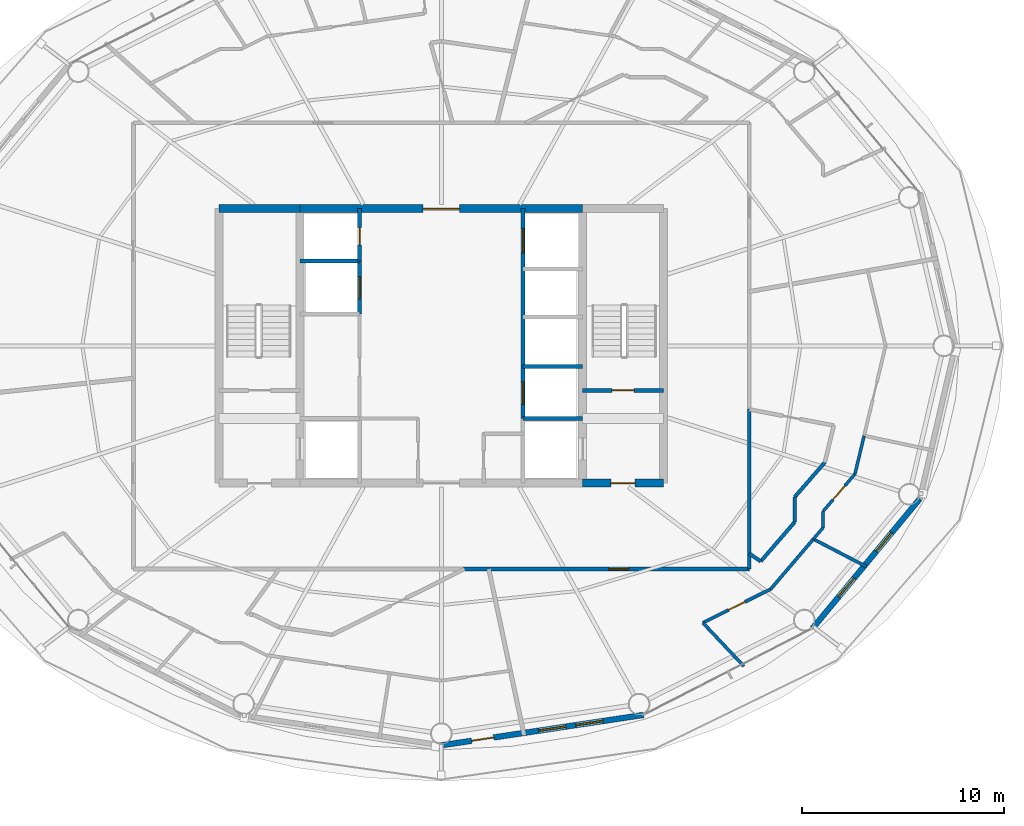
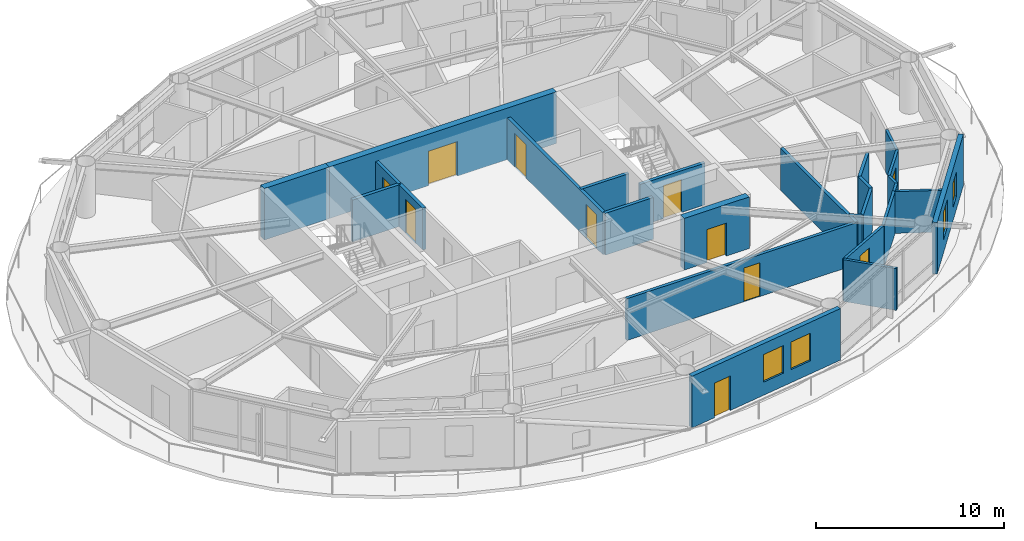
# One storey, part 17 of 23: 26 walls, 11 doors, 4 windows, 15 openings.
"""IFC4 building model written with IfcOpenShell, lengths in metres."""

from ifc_helpers import new_model, si_unit, direction, frame, frame_2d, origin, place, context, subcontext, project, spatial, rectangle, extrude, material, layer, layer_set, type_object, element, fill, save


model = new_model("IFC4")

# Units and contexts
model_context = context("Model", 3, precision=1e-05, world=origin(), true_north=direction((0.0, 1.0)))
body_context = subcontext(model_context, "Body", "Model", "MODEL_VIEW")
ifc_project = project(units=[si_unit("LENGTHUNIT", "METRE"), si_unit("AREAUNIT", "SQUARE_METRE"), si_unit("VOLUMEUNIT", "CUBIC_METRE"), si_unit("PLANEANGLEUNIT", "RADIAN"), si_unit("MASSUNIT", "GRAM", prefix="KILO")], contexts=[model_context])

# Site, building, storey
site_placement = place(None, origin())
site = spatial("IfcSite", under=ifc_project, at=site_placement, CompositionType="ELEMENT")
building_placement = place(site_placement, origin())
building = spatial("IfcBuilding", under=site, at=building_placement, Name="Sarneth Arch Tower", CompositionType="ELEMENT")
storey_placement = place(building_placement, frame((0.0, 0.0, 246.0)))
storey = spatial("IfcBuildingStorey", under=building, at=storey_placement, Name="L63", CompositionType="ELEMENT", Elevation=246.0)

# Wall, opening, door
ifc_material_1 = material(Name="Concrete C50/60", Category="concrete")
ifc_layer_1 = layer(ifc_material_1, 0.39990234375)
ifc_layer_set_1 = layer_set([ifc_layer_1], Name="Concrete C50/60")
wall_type_1 = type_object("IfcWallType", Name="WALL-CORE-400", PredefinedType="SHEAR", material=ifc_layer_set_1)
wall_1_placement = place(storey_placement, frame((55.0, 35.199951171875, 0.0), z_axis=(0.0, 0.0, 1.0), x_axis=(1.0, 0.0, 0.0)))
wall_1 = element("IfcWall", 1, at=wall_1_placement, inside=storey, type_object=wall_type_1, Name="L63 Core shear wall S-E", PredefinedType="SHEAR", context=body_context, shape_type="SweptSolid", body=[
    extrude(rectangle(XDim=4.0, YDim=0.39990234375, at=frame_2d((2.0, 0.0))), origin(), (0.0, 0.0, 1.0), 3.360107421875),
])
opening_1_placement = place(wall_1_placement, frame((1.39990234375, 0.0, 0.0)))
opening_1 = element("IfcOpeningElement", 2, at=opening_1_placement, cuts=wall_1, Name="Opening FD-02", PredefinedType="OPENING", context=body_context, shape_type="SweptSolid", body=[
    extrude(rectangle(XDim=1.199951171875, YDim=2.14990234375, at=frame_2d((0.60009765625, 1.074951171875))), frame((0.0, 0.2099609375, 0.0), z_axis=(0.0, -1.0, 0.0), x_axis=(1.0, 0.0, 0.0)), (0.0, 0.0, 1.0), 0.419921875),
])
ifc_material_2 = material(Name="Galvanised Steel S275 fire door set", Category="steel")
door_type_1 = type_object("IfcDoorType", Name="DR-FD90-1200", OperationType="SINGLE_SWING_LEFT", PredefinedType="DOOR", material=ifc_material_2)
door_1_placement = place(opening_1_placement, origin())
door_1 = element("IfcDoor", 3, at=door_1_placement, inside=storey, type_object=door_type_1, Name="L63 Firefighting lobby 2 exit door", OperationType="SINGLE_SWING_RIGHT", OverallHeight=2.14990234375, OverallWidth=1.199951171875, PredefinedType="DOOR", context=body_context, shape_type="SweptSolid", body=[
    extrude(rectangle(XDim=1.199951171875, YDim=2.14990234375, at=frame_2d((0.60009765625, 1.074951171875))), frame((0.0, 0.02490234375, 0.0), z_axis=(0.0, -1.0, 0.0), x_axis=(1.0, 0.0, 0.0)), (0.0, 0.0, 1.0), 0.050048828125),
])
fill(opening_1, door_1)

# Wall
wall_2_placement = place(storey_placement, frame((37.0, 48.800048828125, 0.0), z_axis=(0.0, 0.0, 1.0), x_axis=(1.0, 0.0, 0.0)))
element("IfcWall", 4, at=wall_2_placement, inside=storey, type_object=wall_type_1, Name="L63 Core shear wall N-W", PredefinedType="SHEAR", context=body_context, shape_type="SweptSolid", body=[
    extrude(rectangle(XDim=4.0, YDim=0.39990234375, at=frame_2d((2.0, 0.0))), origin(), (0.0, 0.0, 1.0), 3.360107421875),
])

# Wall, opening, door
wall_3_placement = place(storey_placement, frame((41.0, 48.800048828125, 0.0), z_axis=(0.0, 0.0, 1.0), x_axis=(1.0, 0.0, 0.0)))
wall_3 = element("IfcWall", 5, at=wall_3_placement, inside=storey, type_object=wall_type_1, Name="L63 Core shear wall N-M", PredefinedType="SHEAR", context=body_context, shape_type="SweptSolid", body=[
    extrude(rectangle(XDim=14.0, YDim=0.39990234375, at=frame_2d((7.0, 0.0))), origin(), (0.0, 0.0, 1.0), 3.360107421875),
])
opening_2_placement = place(wall_3_placement, frame((6.10009765625, 0.0, 0.0)))
opening_2 = element("IfcOpeningElement", 6, at=opening_2_placement, cuts=wall_3, Name="Opening FD-01", PredefinedType="OPENING", context=body_context, shape_type="SweptSolid", body=[
    extrude(rectangle(XDim=1.800048828125, YDim=2.25, at=frame_2d((0.89990234375, 1.125))), frame((0.0, 0.2099609375, 0.0), z_axis=(0.0, -1.0, 0.0), x_axis=(1.0, 0.0, 0.0)), (0.0, 0.0, 1.0), 0.419921875),
])
ifc_material_3 = material(Name="Galvanised Steel S275 fire door set", Category="steel")
door_type_2 = type_object("IfcDoorType", Name="DR-FD90-1800", OperationType="DOUBLE_DOOR_SINGLE_SWING", PredefinedType="DOOR", material=ifc_material_3)
door_2_placement = place(opening_2_placement, origin())
door_2 = element("IfcDoor", 7, at=door_2_placement, inside=storey, type_object=door_type_2, Name="L63 Central lift lobby north door", OperationType="DOUBLE_DOOR_SINGLE_SWING", OverallHeight=2.25, OverallWidth=1.800048828125, PredefinedType="DOOR", context=body_context, shape_type="SweptSolid", body=[
    extrude(rectangle(XDim=1.800048828125, YDim=2.25, at=frame_2d((0.89990234375, 1.125))), frame((0.0, 0.02490234375, 0.0), z_axis=(0.0, -1.0, 0.0), x_axis=(1.0, 0.0, 0.0)), (0.0, 0.0, 1.0), 0.050048828125),
])
fill(opening_2, door_2)

ifc_material_4 = material(Name="Double steel-stud corridor fire wall", Category="steel")
ifc_layer_2 = layer(ifc_material_4, 0.18994140625)
ifc_layer_set_2 = layer_set([ifc_layer_2], Name="Double steel-stud corridor fire wall")
wall_type_2 = type_object("IfcWallType", Name="WALL-CORR-190", PredefinedType="PARTITIONING", material=ifc_layer_set_2)
wall_4_placement = place(storey_placement, frame((63.25, 30.949951171875, 0.0), z_axis=(0.0, 0.0, 1.0), x_axis=(-1.0, 0.0, 0.0)))
wall_4 = element("IfcWall", 8, at=wall_4_placement, inside=storey, type_object=wall_type_2, Name="L63 Interior partition W-L63-TP-014", PredefinedType="PARTITIONING", context=body_context, shape_type="SweptSolid", body=[
    extrude(rectangle(XDim=14.17041015625, YDim=0.18994140625, at=frame_2d((7.085205078125, 0.0))), origin(), (0.0, 0.0, 1.0), 2.719970703125),
])
opening_3_placement = place(wall_4_placement, frame((5.967041015625, 0.0, 0.0)))
opening_3 = element("IfcOpeningElement", 9, at=opening_3_placement, cuts=wall_4, Name="Opening FD-08", PredefinedType="OPENING", context=body_context, shape_type="SweptSolid", body=[
    extrude(rectangle(XDim=1.0, YDim=2.199951171875, at=frame_2d((0.5, 1.10009765625))), frame((0.0, 0.10498046875, 0.0), z_axis=(0.0, -1.0, 0.0), x_axis=(1.0, 0.0, 0.0)), (0.0, 0.0, 1.0), 0.2099609375),
])
ifc_material_5 = material(Name="Hardwood timber acoustic fire door", Category="wood")
door_type_3 = type_object("IfcDoorType", Name="DR-FD60-1000", OperationType="SINGLE_SWING_LEFT", PredefinedType="DOOR", material=ifc_material_5)
door_3_placement = place(opening_3_placement, origin())
door_3 = element("IfcDoor", 10, at=door_3_placement, inside=storey, type_object=door_type_3, Name="L63 Interior door DR-L63-U5-ENT", OperationType="SINGLE_SWING_LEFT", OverallHeight=2.199951171875, OverallWidth=1.0, PredefinedType="DOOR", context=body_context, shape_type="SweptSolid", body=[
    extrude(rectangle(XDim=1.0, YDim=2.199951171875, at=frame_2d((0.5, 1.10009765625))), frame((0.0, 0.02490234375, 0.0), z_axis=(0.0, -1.0, 0.0), x_axis=(1.0, 0.0, 0.0)), (0.0, 0.0, 1.0), 0.050048828125),
])
fill(opening_3, door_3)

# Wall
wall_5_placement = place(storey_placement, frame((63.25, 38.885009765625, 0.0), z_axis=(0.0, 0.0, 1.0), x_axis=(0.0, -1.0, 0.0)))
element("IfcWall", 11, at=wall_5_placement, inside=storey, type_object=wall_type_2, Name="L63 Interior partition W-L63-TP-016", PredefinedType="PARTITIONING", context=body_context, shape_type="SweptSolid", body=[
    extrude(rectangle(XDim=7.93505859375, YDim=0.18994140625, at=frame_2d((3.967529296875, 0.0))), origin(), (0.0, 0.0, 1.0), 2.719970703125),
])

# Wall, openings, door, windows
ifc_material_6 = material(Name="Extruded terracotta rainscreen on Concrete C40/50 backing", Category="masonry")
ifc_layer_3 = layer(ifc_material_6, 0.280029296875)
ifc_layer_set_3 = layer_set([ifc_layer_3], Name="Extruded terracotta rainscreen on Concrete C40/50 backing")
wall_type_3 = type_object("IfcWallType", Name="WALL-EXT-TERRA-280", PredefinedType="SOLIDWALL", material=ifc_layer_set_3)
wall_6_placement = place(storey_placement, frame((48.0, 22.219970703125, 0.0), z_axis=(0.0, 0.0, 1.0), x_axis=(0.988882522213, 0.148698881169, 0.0)))
wall_6 = element("IfcWall", 12, at=wall_6_placement, inside=storey, type_object=wall_type_3, Name="L63 Terracotta perimeter wall 13", PredefinedType="SOLIDWALL", context=body_context, shape_type="SweptSolid", body=[
    extrude(rectangle(XDim=10.125244140625, YDim=0.280029296875, at=frame_2d((5.0625, 0.0))), origin(), (0.0, 0.0, 1.0), 3.360107421875),
])
opening_4_placement = place(wall_6_placement, frame((1.51611328125, 0.0, 0.0)))
opening_4 = element("IfcOpeningElement", 13, at=opening_4_placement, cuts=wall_6, Name="Opening BD-3", PredefinedType="OPENING", context=body_context, shape_type="SweptSolid", body=[
    extrude(rectangle(XDim=1.10009765625, YDim=2.25, at=frame_2d((0.550048828125, 1.125))), frame((0.0, 0.14990234375, 0.0), z_axis=(0.0, -1.0, 0.0), x_axis=(1.0, 0.0, 0.0)), (0.0, 0.0, 1.0), 0.300048828125),
])
opening_5_placement = place(wall_6_placement, frame((4.8798828125, 0.0, 0.85009765625)))
opening_5 = element("IfcOpeningElement", 14, at=opening_5_placement, cuts=wall_6, Name="Opening W-08", PredefinedType="OPENING", context=body_context, shape_type="SweptSolid", body=[
    extrude(rectangle(XDim=1.35009765625, YDim=1.800048828125, at=frame_2d((0.675048828125, 0.89990234375))), frame((0.0, 0.14990234375, 0.0), z_axis=(0.0, -1.0, 0.0), x_axis=(1.0, 0.0, 0.0)), (0.0, 0.0, 1.0), 0.300048828125),
])
opening_6_placement = place(wall_6_placement, frame((6.732666015625, 0.0, 0.85009765625)))
opening_6 = element("IfcOpeningElement", 15, at=opening_6_placement, cuts=wall_6, Name="Opening W-08", PredefinedType="OPENING", context=body_context, shape_type="SweptSolid", body=[
    extrude(rectangle(XDim=1.35009765625, YDim=1.800048828125, at=frame_2d((0.675048828125, 0.89990234375))), frame((0.0, 0.14990234375, 0.0), z_axis=(0.0, -1.0, 0.0), x_axis=(1.0, 0.0, 0.0)), (0.0, 0.0, 1.0), 0.300048828125),
])
ifc_material_7 = material(Name="Thermally broken Aluminium 6063-T6 and laminated safety glass", Category="aluminium")
door_type_4 = type_object("IfcDoorType", Name="DR-BALC-GLZ-1100", OperationType="SINGLE_SWING_LEFT", PredefinedType="DOOR", material=ifc_material_7)
door_4_placement = place(opening_4_placement, origin())
door_4 = element("IfcDoor", 16, at=door_4_placement, inside=storey, type_object=door_type_4, Name="L63 Balcony glazed door 13", OperationType="SINGLE_SWING_LEFT", OverallHeight=2.25, OverallWidth=1.10009765625, PredefinedType="DOOR", context=body_context, shape_type="SweptSolid", body=[
    extrude(rectangle(XDim=1.10009765625, YDim=2.25, at=frame_2d((0.550048828125, 1.125))), frame((0.0, 0.02490234375, 0.0), z_axis=(0.0, -1.0, 0.0), x_axis=(1.0, 0.0, 0.0)), (0.0, 0.0, 1.0), 0.050048828125),
])
fill(opening_4, door_4)
ifc_material_8 = material(Name="Thermally broken Aluminium 6063-T6 and low-e laminated IGU", Category="aluminium")
window_type_1 = type_object("IfcWindowType", Name="WIN-TWR-1350x1800", PartitioningType="SINGLE_PANEL", PredefinedType="WINDOW", material=ifc_material_8)
window_1_placement = place(opening_5_placement, origin())
window_1 = element("IfcWindow", 17, at=window_1_placement, inside=storey, type_object=window_type_1, Name="L63 Exterior window 13A", OverallHeight=1.800048828125, OverallWidth=1.35009765625, PartitioningType="SINGLE_PANEL", PredefinedType="WINDOW", context=body_context, shape_type="SweptSolid", body=[
    extrude(rectangle(XDim=1.35009765625, YDim=1.800048828125, at=frame_2d((0.675048828125, 0.89990234375))), frame((0.0, 0.030029296875, 0.0), z_axis=(0.0, -1.0, 0.0), x_axis=(1.0, 0.0, 0.0)), (0.0, 0.0, 1.0), 0.06005859375),
])
fill(opening_5, window_1)
window_2_placement = place(opening_6_placement, origin())
window_2 = element("IfcWindow", 18, at=window_2_placement, inside=storey, type_object=window_type_1, Name="L63 Exterior window 13B", OverallHeight=1.800048828125, OverallWidth=1.35009765625, PartitioningType="SINGLE_PANEL", PredefinedType="WINDOW", context=body_context, shape_type="SweptSolid", body=[
    extrude(rectangle(XDim=1.35009765625, YDim=1.800048828125, at=frame_2d((0.675048828125, 0.89990234375))), frame((0.0, 0.030029296875, 0.0), z_axis=(0.0, -1.0, 0.0), x_axis=(1.0, 0.0, 0.0)), (0.0, 0.0, 1.0), 0.06005859375),
])
fill(opening_6, window_2)

# Wall, openings, windows
wall_7_placement = place(storey_placement, frame((66.382568359375, 28.013427734375, 0.0), z_axis=(0.0, 0.0, 1.0), x_axis=(0.63761509934, 0.770355103243, 0.0)))
wall_7 = element("IfcWall", 19, at=wall_7_placement, inside=storey, type_object=wall_type_3, Name="L63 Terracotta perimeter wall 15", PredefinedType="SOLIDWALL", context=body_context, shape_type="SweptSolid", body=[
    extrude(rectangle(XDim=8.329833984375, YDim=0.280029296875, at=frame_2d((4.1650390625, 0.0))), origin(), (0.0, 0.0, 1.0), 3.360107421875),
])
opening_7_placement = place(wall_7_placement, frame((2.03076171875, 0.0, 0.85009765625)))
opening_7 = element("IfcOpeningElement", 20, at=opening_7_placement, cuts=wall_7, Name="Opening W-09", PredefinedType="OPENING", context=body_context, shape_type="SweptSolid", body=[
    extrude(rectangle(XDim=1.199951171875, YDim=1.800048828125, at=frame_2d((0.60009765625, 0.89990234375))), frame((0.0, 0.14990234375, 0.0), z_axis=(0.0, -1.0, 0.0), x_axis=(1.0, 0.0, 0.0)), (0.0, 0.0, 1.0), 0.300048828125),
])
opening_8_placement = place(wall_7_placement, frame((4.935791015625, 0.0, 0.85009765625)))
opening_8 = element("IfcOpeningElement", 21, at=opening_8_placement, cuts=wall_7, Name="Opening W-10", PredefinedType="OPENING", context=body_context, shape_type="SweptSolid", body=[
    extrude(rectangle(XDim=1.199951171875, YDim=1.60009765625, at=frame_2d((0.60009765625, 0.800048828125))), frame((0.0, 0.14990234375, 0.0), z_axis=(0.0, -1.0, 0.0), x_axis=(1.0, 0.0, 0.0)), (0.0, 0.0, 1.0), 0.300048828125),
])
ifc_material_9 = material(Name="Thermally broken Aluminium 6063-T6 and low-e laminated IGU", Category="aluminium")
window_type_2 = type_object("IfcWindowType", Name="WIN-TWR-1200x1600", PartitioningType="SINGLE_PANEL", PredefinedType="WINDOW", material=ifc_material_9)
window_3_placement = place(opening_8_placement, origin())
window_3 = element("IfcWindow", 22, at=window_3_placement, inside=storey, type_object=window_type_2, Name="L63 Exterior window 15B", OverallHeight=1.60009765625, OverallWidth=1.199951171875, PartitioningType="SINGLE_PANEL", PredefinedType="WINDOW", context=body_context, shape_type="SweptSolid", body=[
    extrude(rectangle(XDim=1.199951171875, YDim=1.60009765625, at=frame_2d((0.60009765625, 0.800048828125))), frame((0.0, 0.030029296875, 0.0), z_axis=(0.0, -1.0, 0.0), x_axis=(1.0, 0.0, 0.0)), (0.0, 0.0, 1.0), 0.06005859375),
])
fill(opening_8, window_3)
ifc_material_10 = material(Name="Thermally broken Aluminium 6063-T6 and low-e laminated IGU", Category="aluminium")
window_type_3 = type_object("IfcWindowType", Name="WIN-TWR-1200x1800", PartitioningType="SINGLE_PANEL", PredefinedType="WINDOW", material=ifc_material_10)
window_4_placement = place(opening_7_placement, origin())
window_4 = element("IfcWindow", 23, at=window_4_placement, inside=storey, type_object=window_type_3, Name="L63 Exterior window 15A", OverallHeight=1.800048828125, OverallWidth=1.199951171875, PartitioningType="SINGLE_PANEL", PredefinedType="WINDOW", context=body_context, shape_type="SweptSolid", body=[
    extrude(rectangle(XDim=1.199951171875, YDim=1.800048828125, at=frame_2d((0.60009765625, 0.89990234375))), frame((0.0, 0.030029296875, 0.0), z_axis=(0.0, -1.0, 0.0), x_axis=(1.0, 0.0, 0.0)), (0.0, 0.0, 1.0), 0.06005859375),
])
fill(opening_7, window_4)

# Wall, opening, door
ifc_material_11 = material(Name="Acoustic gypsum stud partition", Category="gypsum")
ifc_layer_4 = layer(ifc_material_11, 0.14990234375)
ifc_layer_set_4 = layer_set([ifc_layer_4], Name="Acoustic gypsum stud partition")
wall_type_4 = type_object("IfcWallType", Name="WALL-PART-150", PredefinedType="PARTITIONING", material=ifc_layer_set_4)
wall_8_placement = place(storey_placement, frame((66.89990234375, 33.802978515625, 0.0), z_axis=(0.0, 0.0, 1.0), x_axis=(0.649270866973, 0.760557257082, 0.0)))
wall_8 = element("IfcWall", 24, at=wall_8_placement, inside=storey, type_object=wall_type_4, Name="L63 Interior partition W-L63-TP-092", PredefinedType="PARTITIONING", context=body_context, shape_type="SweptSolid", body=[
    extrude(rectangle(XDim=2.43505859375, YDim=0.14990234375, at=frame_2d((1.217529296875, 0.0))), origin(), (0.0, 0.0, 1.0), 2.719970703125),
])
opening_9_placement = place(wall_8_placement, frame((0.767578125, 0.0, 0.0)))
opening_9 = element("IfcOpeningElement", 25, at=opening_9_placement, cuts=wall_8, Name="Opening ID-01", PredefinedType="OPENING", context=body_context, shape_type="SweptSolid", body=[
    extrude(rectangle(XDim=0.89990234375, YDim=2.10009765625, at=frame_2d((0.449951171875, 1.050048828125))), frame((0.0, 0.0849609375, 0.0), z_axis=(0.0, -1.0, 0.0), x_axis=(1.0, 0.0, 0.0)), (0.0, 0.0, 1.0), 0.169921875),
])
ifc_material_12 = material(Name="Engineered hardwood flush door", Category="wood")
door_type_5 = type_object("IfcDoorType", Name="DR-INT-900", OperationType="SINGLE_SWING_LEFT", PredefinedType="DOOR", material=ifc_material_12)
door_5_placement = place(opening_9_placement, origin())
door_5 = element("IfcDoor", 26, at=door_5_placement, inside=storey, type_object=door_type_5, Name="L63 Interior door DR-L63-U5-BED1", OperationType="SINGLE_SWING_RIGHT", OverallHeight=2.10009765625, OverallWidth=0.89990234375, PredefinedType="DOOR", context=body_context, shape_type="SweptSolid", body=[
    extrude(rectangle(XDim=0.89990234375, YDim=2.10009765625, at=frame_2d((0.449951171875, 1.050048828125))), frame((0.0, 0.02490234375, 0.0), z_axis=(0.0, -1.0, 0.0), x_axis=(1.0, 0.0, 0.0)), (0.0, 0.0, 1.0), 0.050048828125),
])
fill(opening_9, door_5)

# Walls
wall_9_placement = place(storey_placement, frame((68.48095703125, 35.655029296875, 0.0), z_axis=(0.0, 0.0, 1.0), x_axis=(0.232292373483, 0.97264600612, 0.0)))
element("IfcWall", 27, at=wall_9_placement, inside=storey, type_object=wall_type_4, Name="L63 Interior partition W-L63-TP-093", PredefinedType="PARTITIONING", context=body_context, shape_type="SweptSolid", body=[
    extrude(rectangle(XDim=1.948486328125, YDim=0.14990234375, at=frame_2d((0.97412109375, 0.0))), origin(), (0.0, 0.0, 1.0), 2.719970703125),
])
wall_10_placement = place(storey_placement, frame((66.89990234375, 32.992919921875, 0.0), z_axis=(0.0, 0.0, 1.0), x_axis=(0.0, 1.0, 0.0)))
element("IfcWall", 28, at=wall_10_placement, inside=storey, type_object=wall_type_4, Name="L63 Interior partition W-L63-TP-091", PredefinedType="PARTITIONING", context=body_context, shape_type="SweptSolid", body=[
    extrude(rectangle(XDim=0.81005859375, YDim=0.14990234375, at=frame_2d((0.405029296875, 0.0))), origin(), (0.0, 0.0, 1.0), 2.719970703125),
])
wall_11_placement = place(storey_placement, frame((66.42138671875, 32.43212890625, 0.0), z_axis=(0.0, 0.0, 1.0), x_axis=(0.649098829795, 0.760704087775, 0.0)))
element("IfcWall", 29, at=wall_11_placement, inside=storey, type_object=wall_type_4, Name="L63 Interior partition W-L63-TP-090", PredefinedType="PARTITIONING", context=body_context, shape_type="SweptSolid", body=[
    extrude(rectangle(XDim=0.7373046875, YDim=0.14990234375, at=frame_2d((0.36865234375, 0.0))), origin(), (0.0, 0.0, 1.0), 2.719970703125),
])

# Wall, opening, door
ifc_material_13 = material(Name="Kitchen wet service chase wall", Category="gypsum")
ifc_layer_5 = layer(ifc_material_13, 0.159912109375)
ifc_layer_set_5 = layer_set([ifc_layer_5], Name="Kitchen wet service chase wall")
wall_type_5 = type_object("IfcWallType", Name="WALL-PLUMB-160", PredefinedType="PLUMBINGWALL", material=ifc_layer_set_5)
wall_12_placement = place(storey_placement, frame((60.9501953125, 28.287353515625, 0.0), z_axis=(0.0, 0.0, 1.0), x_axis=(0.895465553998, 0.445130814035, 0.0)))
wall_12 = element("IfcWall", 30, at=wall_12_placement, inside=storey, type_object=wall_type_5, Name="L63 Interior partition W-L63-TP-082", PredefinedType="PLUMBINGWALL", context=body_context, shape_type="SweptSolid", body=[
    extrude(rectangle(XDim=3.753173828125, YDim=0.159912109375, at=frame_2d((1.87646484375, 0.0))), origin(), (0.0, 0.0, 1.0), 2.719970703125),
])
opening_10_placement = place(wall_12_placement, frame((1.4267578125, 0.0, 0.0)))
opening_10 = element("IfcOpeningElement", 31, at=opening_10_placement, cuts=wall_12, Name="Opening ID-01", PredefinedType="OPENING", context=body_context, shape_type="SweptSolid", body=[
    extrude(rectangle(XDim=0.89990234375, YDim=2.10009765625, at=frame_2d((0.449951171875, 1.050048828125))), frame((0.0, 0.08984375, 0.0), z_axis=(0.0, -1.0, 0.0), x_axis=(1.0, 0.0, 0.0)), (0.0, 0.0, 1.0), 0.179931640625),
])
door_6_placement = place(opening_10_placement, origin())
door_6 = element("IfcDoor", 32, at=door_6_placement, inside=storey, type_object=door_type_5, Name="L63 Interior door DR-L63-U5-KIT", OperationType="SINGLE_SWING_LEFT", OverallHeight=2.10009765625, OverallWidth=0.89990234375, PredefinedType="DOOR", context=body_context, shape_type="SweptSolid", body=[
    extrude(rectangle(XDim=0.89990234375, YDim=2.10009765625, at=frame_2d((0.449951171875, 1.050048828125))), frame((0.0, 0.02490234375, 0.0), z_axis=(0.0, -1.0, 0.0), x_axis=(1.0, 0.0, 0.0)), (0.0, 0.0, 1.0), 0.050048828125),
])
fill(opening_10, door_6)

# Walls
wall_13_placement = place(storey_placement, frame((64.31103515625, 29.9580078125, 0.0), z_axis=(0.0, 0.0, 1.0), x_axis=(0.648959388132, 0.760823049437, 0.0)))
element("IfcWall", 33, at=wall_13_placement, inside=storey, type_object=wall_type_5, Name="L63 Interior partition W-L63-TP-083", PredefinedType="PLUMBINGWALL", context=body_context, shape_type="SweptSolid", body=[
    extrude(rectangle(XDim=3.251953125, YDim=0.159912109375, at=frame_2d((1.6259765625, 0.0))), origin(), (0.0, 0.0, 1.0), 2.719970703125),
])
wall_14_placement = place(storey_placement, frame((69.058349609375, 31.0625, 0.0), z_axis=(0.0, 0.0, 1.0), x_axis=(-0.887435973199, 0.460931007281, 0.0)))
element("IfcWall", 34, at=wall_14_placement, inside=storey, type_object=wall_type_5, Name="L63 Interior partition W-L63-TP-096", PredefinedType="PLUMBINGWALL", context=body_context, shape_type="SweptSolid", body=[
    extrude(rectangle(XDim=2.971435546875, YDim=0.159912109375, at=frame_2d((1.48583984375, 0.0))), origin(), (0.0, 0.0, 1.0), 2.719970703125),
])
wall_15_placement = place(storey_placement, frame((62.97802734375, 26.139892578125, 0.0), z_axis=(0.0, 0.0, 1.0), x_axis=(-0.686565278446, 0.72706816629, 0.0)))
element("IfcWall", 35, at=wall_15_placement, inside=storey, type_object=wall_type_5, Name="L63 Interior partition W-L63-TP-081", PredefinedType="PLUMBINGWALL", context=body_context, shape_type="SweptSolid", body=[
    extrude(rectangle(XDim=2.95361328125, YDim=0.159912109375, at=frame_2d((1.476806640625, 0.0))), origin(), (0.0, 0.0, 1.0), 2.719970703125),
])
ifc_material_14 = material(Name="Moisture-resistant plumbing chase wall", Category="gypsum")
ifc_layer_6 = layer(ifc_material_14, 0.179931640625)
ifc_layer_set_6 = layer_set([ifc_layer_6], Name="Moisture-resistant plumbing chase wall")
wall_type_6 = type_object("IfcWallType", Name="WALL-PLUMB-180", PredefinedType="PLUMBINGWALL", material=ifc_layer_set_6)
wall_16_placement = place(storey_placement, frame((65.5, 33.27880859375, 0.0), z_axis=(0.0, 0.0, 1.0), x_axis=(-0.653879119416, -0.756599033301, 0.0)))
element("IfcWall", 36, at=wall_16_placement, inside=storey, type_object=wall_type_6, Name="L63 Interior partition W-L63-TP-088", PredefinedType="PLUMBINGWALL", context=body_context, shape_type="SweptSolid", body=[
    extrude(rectangle(XDim=2.573974609375, YDim=0.179931640625, at=frame_2d((1.287109375, 0.0))), origin(), (0.0, 0.0, 1.0), 2.719970703125),
])
wall_17_placement = place(storey_placement, frame((66.987548828125, 36.22900390625, 0.0), z_axis=(0.0, 0.0, 1.0), x_axis=(-0.656389391797, -0.754422273224, 0.0)))
element("IfcWall", 37, at=wall_17_placement, inside=storey, type_object=wall_type_6, Name="L63 Interior partition W-L63-TP-086", PredefinedType="PLUMBINGWALL", context=body_context, shape_type="SweptSolid", body=[
    extrude(rectangle(XDim=2.266357421875, YDim=0.179931640625, at=frame_2d((1.13330078125, 0.0))), origin(), (0.0, 0.0, 1.0), 2.719970703125),
])
wall_18_placement = place(storey_placement, frame((65.5, 34.519287109375, 0.0), z_axis=(0.0, 0.0, 1.0), x_axis=(0.0, -1.0, 0.0)))
element("IfcWall", 38, at=wall_18_placement, inside=storey, type_object=wall_type_6, Name="L63 Interior partition W-L63-TP-087", PredefinedType="PLUMBINGWALL", context=body_context, shape_type="SweptSolid", body=[
    extrude(rectangle(XDim=1.240478515625, YDim=0.179931640625, at=frame_2d((0.6201171875, 0.0))), origin(), (0.0, 0.0, 1.0), 2.719970703125),
])
wall_19_placement = place(storey_placement, frame((63.81689453125, 31.331298828125, 0.0), z_axis=(0.0, 0.0, 1.0), x_axis=(-0.829072128826, 0.559141668278, 0.0)))
element("IfcWall", 39, at=wall_19_placement, inside=storey, type_object=wall_type_6, Name="L63 Interior partition W-L63-TP-089", PredefinedType="PLUMBINGWALL", context=body_context, shape_type="SweptSolid", body=[
    extrude(rectangle(XDim=0.683837890625, YDim=0.179931640625, at=frame_2d((0.341796875, 0.0))), origin(), (0.0, 0.0, 1.0), 2.719970703125),
])

# Wall, opening, door
ifc_material_15 = material(Name="Aerated concrete blockwork C25/30", Category="masonry")
ifc_layer_7 = layer(ifc_material_15, 0.199951171875)
ifc_layer_set_7 = layer_set([ifc_layer_7], Name="Aerated concrete blockwork C25/30")
wall_type_7 = type_object("IfcWallType", Name="WALL-SHAFT-200", PredefinedType="SOLIDWALL", material=ifc_layer_set_7)
wall_20_placement = place(storey_placement, frame((55.0, 39.800048828125, 0.0), z_axis=(0.0, 0.0, 1.0), x_axis=(1.0, 0.0, 0.0)))
wall_20 = element("IfcWall", 40, at=wall_20_placement, inside=storey, type_object=wall_type_7, Name="L63 Interior partition W-L63-ST2-S", PredefinedType="SOLIDWALL", context=body_context, shape_type="SweptSolid", body=[
    extrude(rectangle(XDim=4.0, YDim=0.199951171875, at=frame_2d((2.0, 0.0))), origin(), (0.0, 0.0, 1.0), 2.719970703125),
])
opening_11_placement = place(wall_20_placement, frame((1.449951171875, 0.0, 0.0)))
opening_11 = element("IfcOpeningElement", 41, at=opening_11_placement, cuts=wall_20, Name="Opening FD-03", PredefinedType="OPENING", context=body_context, shape_type="SweptSolid", body=[
    extrude(rectangle(XDim=1.10009765625, YDim=2.14990234375, at=frame_2d((0.550048828125, 1.074951171875))), frame((0.0, 0.10986328125, 0.0), z_axis=(0.0, -1.0, 0.0), x_axis=(1.0, 0.0, 0.0)), (0.0, 0.0, 1.0), 0.219970703125),
])
ifc_material_16 = material(Name="Galvanised Steel S275 fire door set", Category="steel")
door_type_6 = type_object("IfcDoorType", Name="DR-FD90-1100", OperationType="SINGLE_SWING_LEFT", PredefinedType="DOOR", material=ifc_material_16)
door_7_placement = place(opening_11_placement, origin())
door_7 = element("IfcDoor", 42, at=door_7_placement, inside=storey, type_object=door_type_6, Name="L63 Interior door DR-L63-ST2", OperationType="SINGLE_SWING_RIGHT", OverallHeight=2.14990234375, OverallWidth=1.10009765625, PredefinedType="DOOR", context=body_context, shape_type="SweptSolid", body=[
    extrude(rectangle(XDim=1.10009765625, YDim=2.14990234375, at=frame_2d((0.550048828125, 1.074951171875))), frame((0.0, 0.02490234375, 0.0), z_axis=(0.0, -1.0, 0.0), x_axis=(1.0, 0.0, 0.0)), (0.0, 0.0, 1.0), 0.050048828125),
])
fill(opening_11, door_7)

# Walls
for number, where, z_axis, x_axis, name in (
    (43, (52.050048828125, 38.39990234375, 0.0), (0.0, 0.0, 1.0), (1.0, 0.0, 0.0), "L63 Interior partition W-L63-FL2-N"),
    (44, (41.0, 46.199951171875, 0.0), (0.0, 0.0, 1.0), (1.0, 0.0, 0.0), "L63 Interior partition W-L63-RISER-S"),
):
    element("IfcWall", number, at=place(storey_placement, frame(where, z_axis=z_axis, x_axis=x_axis)), inside=storey, type_object=wall_type_7, Name=name, PredefinedType="SOLIDWALL", context=body_context, shape_type="SweptSolid", body=[
        extrude(rectangle(XDim=2.949951171875, YDim=0.199951171875, at=frame_2d((1.47509765625, 0.0))), origin(), (0.0, 0.0, 1.0), 2.719970703125),
    ])

# Wall, opening, door
wall_21_placement = place(storey_placement, frame((43.949951171875, 46.199951171875, 0.0), z_axis=(0.0, 0.0, 1.0), x_axis=(0.0, 1.0, 0.0)))
wall_21 = element("IfcWall", 45, at=wall_21_placement, inside=storey, type_object=wall_type_7, Name="L63 Interior partition W-L63-RISER-E", PredefinedType="SOLIDWALL", context=body_context, shape_type="SweptSolid", body=[
    extrude(rectangle(XDim=2.60009765625, YDim=0.199951171875, at=frame_2d((1.300048828125, 0.0))), origin(), (0.0, 0.0, 1.0), 2.719970703125),
])
opening_12_placement = place(wall_21_placement, frame((0.800048828125, 0.0, 0.0)))
opening_12 = element("IfcOpeningElement", 46, at=opening_12_placement, cuts=wall_21, Name="Opening FD-11", PredefinedType="OPENING", context=body_context, shape_type="SweptSolid", body=[
    extrude(rectangle(XDim=0.85009765625, YDim=2.14990234375, at=frame_2d((0.425048828125, 1.074951171875))), frame((0.0, 0.10986328125, 0.0), z_axis=(0.0, -1.0, 0.0), x_axis=(1.0, 0.0, 0.0)), (0.0, 0.0, 1.0), 0.219970703125),
])
ifc_material_17 = material(Name="Galvanised Steel S275 closet fire door", Category="steel")
door_type_7 = type_object("IfcDoorType", Name="DR-FD60-850", OperationType="SINGLE_SWING_LEFT", PredefinedType="DOOR", material=ifc_material_17)
door_8_placement = place(opening_12_placement, origin())
door_8 = element("IfcDoor", 47, at=door_8_placement, inside=storey, type_object=door_type_7, Name="L63 Lift landing door DR-L63-RISER", OperationType="SINGLE_SWING_LEFT", OverallHeight=2.14990234375, OverallWidth=0.85009765625, PredefinedType="DOOR", context=body_context, shape_type="SweptSolid", body=[
    extrude(rectangle(XDim=0.85009765625, YDim=2.14990234375, at=frame_2d((0.425048828125, 1.074951171875))), frame((0.0, 0.02490234375, 0.0), z_axis=(0.0, -1.0, 0.0), x_axis=(1.0, 0.0, 0.0)), (0.0, 0.0, 1.0), 0.050048828125),
])
fill(opening_12, door_8)

wall_22_placement = place(storey_placement, frame((43.949951171875, 43.580078125, 0.0), z_axis=(0.0, 0.0, 1.0), x_axis=(0.0, 1.0, 0.0)))
wall_22 = element("IfcWall", 48, at=wall_22_placement, inside=storey, type_object=wall_type_7, Name="L63 Interior partition W-L63-PM1-FRONT", PredefinedType="SOLIDWALL", context=body_context, shape_type="SweptSolid", body=[
    extrude(rectangle(XDim=2.619873046875, YDim=0.199951171875, at=frame_2d((1.31005859375, 0.0))), origin(), (0.0, 0.0, 1.0), 2.719970703125),
])
opening_13_placement = place(wall_22_placement, frame((0.75, 0.0, 0.0)))
opening_13 = element("IfcOpeningElement", 49, at=opening_13_placement, cuts=wall_22, Name="Opening LD-1", PredefinedType="OPENING", context=body_context, shape_type="SweptSolid", body=[
    extrude(rectangle(XDim=1.10009765625, YDim=2.199951171875, at=frame_2d((0.550048828125, 1.10009765625))), frame((0.0, 0.10986328125, 0.0), z_axis=(0.0, -1.0, 0.0), x_axis=(1.0, 0.0, 0.0)), (0.0, 0.0, 1.0), 0.219970703125),
])
ifc_material_18 = material(Name="Brushed Stainless Steel 304 lift landing door", Category="steel")
door_type_8 = type_object("IfcDoorType", Name="DR-LIFT-SLIDE-1100", OperationType="SLIDING_TO_LEFT", PredefinedType="DOOR", material=ifc_material_18)
door_9_placement = place(opening_13_placement, origin())
door_9 = element("IfcDoor", 50, at=door_9_placement, inside=storey, type_object=door_type_8, Name="L63 Lift landing door DR-L63-LD-PM1", OperationType="SLIDING_TO_LEFT", OverallHeight=2.199951171875, OverallWidth=1.10009765625, PredefinedType="DOOR", context=body_context, shape_type="SweptSolid", body=[
    extrude(rectangle(XDim=1.10009765625, YDim=2.199951171875, at=frame_2d((0.550048828125, 1.10009765625))), frame((0.0, 0.02490234375, 0.0), z_axis=(0.0, -1.0, 0.0), x_axis=(1.0, 0.0, 0.0)), (0.0, 0.0, 1.0), 0.050048828125),
])
fill(opening_13, door_9)

# Wall, openings, doors
wall_23_placement = place(storey_placement, frame((52.050048828125, 38.39990234375, 0.0), z_axis=(0.0, 0.0, 1.0), x_axis=(0.0, 1.0, 0.0)))
wall_23 = element("IfcWall", 51, at=wall_23_placement, inside=storey, type_object=wall_type_7, Name="L63 Interior partition W-L63-EASTBANK-FRONT", PredefinedType="SOLIDWALL", context=body_context, shape_type="SweptSolid", body=[
    extrude(rectangle(XDim=10.400146484375, YDim=0.199951171875, at=frame_2d((5.2001953125, 0.0))), origin(), (0.0, 0.0, 1.0), 2.719970703125),
])
opening_14_placement = place(wall_23_placement, frame((0.699951171875, 0.0, 0.0)))
opening_14 = element("IfcOpeningElement", 52, at=opening_14_placement, cuts=wall_23, Name="Opening LD-1", PredefinedType="OPENING", context=body_context, shape_type="SweptSolid", body=[
    extrude(rectangle(XDim=1.10009765625, YDim=2.199951171875, at=frame_2d((0.550048828125, 1.10009765625))), frame((0.0, 0.10986328125, 0.0), z_axis=(0.0, -1.0, 0.0), x_axis=(1.0, 0.0, 0.0)), (0.0, 0.0, 1.0), 0.219970703125),
])
opening_15_placement = place(wall_23_placement, frame((8.199951171875, 0.0, 0.0)))
opening_15 = element("IfcOpeningElement", 53, at=opening_15_placement, cuts=wall_23, Name="Opening LD-2", PredefinedType="OPENING", context=body_context, shape_type="SweptSolid", body=[
    extrude(rectangle(XDim=1.199951171875, YDim=2.199951171875, at=frame_2d((0.60009765625, 1.10009765625))), frame((0.0, 0.10986328125, 0.0), z_axis=(0.0, -1.0, 0.0), x_axis=(1.0, 0.0, 0.0)), (0.0, 0.0, 1.0), 0.219970703125),
])
door_10_placement = place(opening_14_placement, origin())
door_10 = element("IfcDoor", 54, at=door_10_placement, inside=storey, type_object=door_type_8, Name="L63 Lift landing door DR-L63-LD-PM2", OperationType="SLIDING_TO_LEFT", OverallHeight=2.199951171875, OverallWidth=1.10009765625, PredefinedType="DOOR", context=body_context, shape_type="SweptSolid", body=[
    extrude(rectangle(XDim=1.10009765625, YDim=2.199951171875, at=frame_2d((0.550048828125, 1.10009765625))), frame((0.0, 0.02490234375, 0.0), z_axis=(0.0, -1.0, 0.0), x_axis=(1.0, 0.0, 0.0)), (0.0, 0.0, 1.0), 0.050048828125),
])
fill(opening_14, door_10)
ifc_material_19 = material(Name="Brushed Stainless Steel 304 service lift door", Category="steel")
door_type_9 = type_object("IfcDoorType", Name="DR-LIFT-SLIDE-1200", OperationType="SLIDING_TO_RIGHT", PredefinedType="DOOR", material=ifc_material_19)
door_11_placement = place(opening_15_placement, origin())
door_11 = element("IfcDoor", 55, at=door_11_placement, inside=storey, type_object=door_type_9, Name="L63 Lift landing door DR-L63-LD-SL1", OperationType="SLIDING_TO_RIGHT", OverallHeight=2.199951171875, OverallWidth=1.199951171875, PredefinedType="DOOR", context=body_context, shape_type="SweptSolid", body=[
    extrude(rectangle(XDim=1.199951171875, YDim=2.199951171875, at=frame_2d((0.60009765625, 1.10009765625))), frame((0.0, 0.02490234375, 0.0), z_axis=(0.0, -1.0, 0.0), x_axis=(1.0, 0.0, 0.0)), (0.0, 0.0, 1.0), 0.050048828125),
])
fill(opening_15, door_11)

# Wall
wall_24_placement = place(storey_placement, frame((52.050048828125, 40.97998046875, 0.0), z_axis=(0.0, 0.0, 1.0), x_axis=(1.0, 0.0, 0.0)))
element("IfcWall", 56, at=wall_24_placement, inside=storey, type_object=wall_type_7, Name="L63 Interior partition W-L63-EB-DIV-4098", PredefinedType="SOLIDWALL", context=body_context, shape_type="SweptSolid", body=[
    extrude(rectangle(XDim=2.949951171875, YDim=0.199951171875, at=frame_2d((1.47509765625, 0.0))), origin(), (0.0, 0.0, 1.0), 2.719970703125),
])

save(model, "model.ifc")
